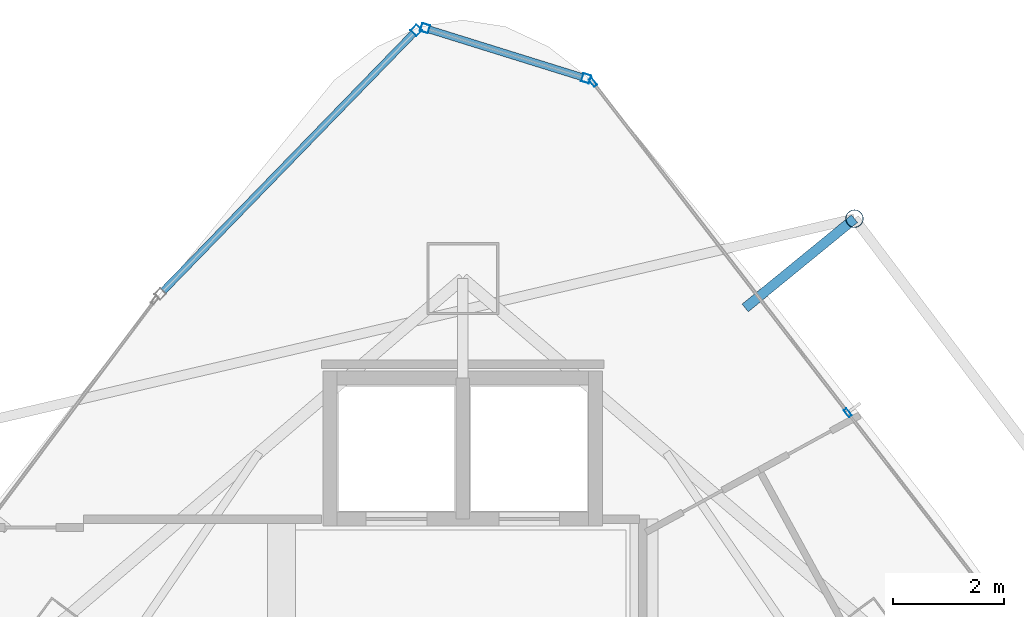
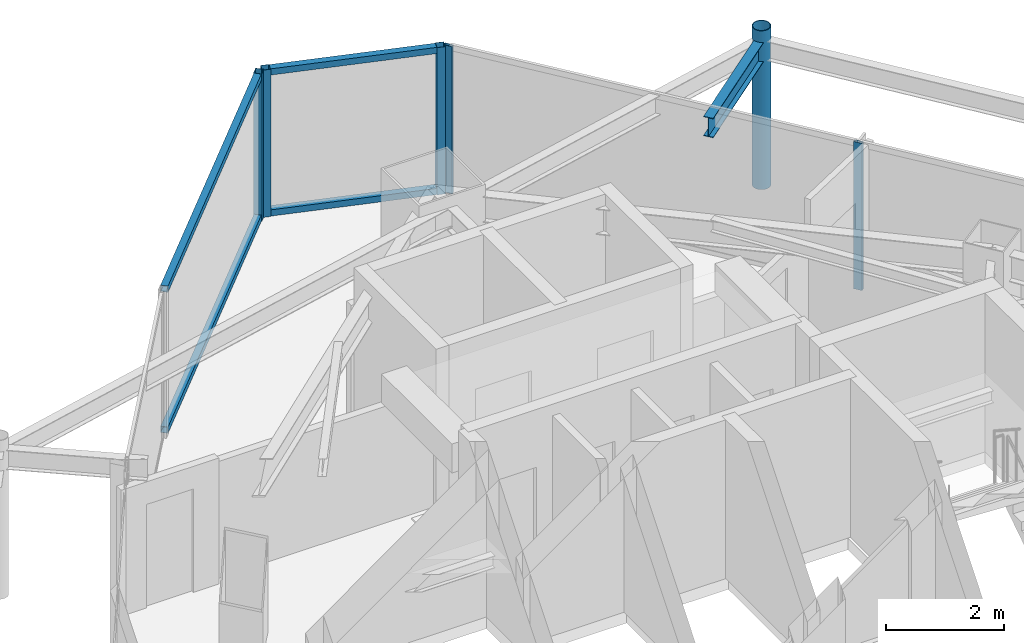
# One storey, part 24 of 32: 10 members, 1 beam, 3 elements without a shape of their own.
"""IFC4 building model written with IfcOpenShell, lengths in metres."""

import ifcopenshell
import ifcopenshell.guid

model = None  # the IFC model being written
_history = None  # IfcOwnerHistory: only IFC2X3 demands one
_inside = {}  # id of a spatial element -> (the spatial element, [elements in it])
_under = {}  # id of a project, library or spatial element -> (it, [spatial elements below it])
_declared = {}  # id of a project -> (the project, [libraries it declares])
_typed = {}  # id of a type object -> (the type object, [elements of that type])
_made_of = {}  # id of a material, layer set ... -> (it, [elements and type objects made of it])


def new_model(schema):
    """Start an empty IFC model of exactly this schema.

    Asked for "IFC4X3", IfcOpenShell would pick the latest addendum, in which some entities
    have other attributes; the version numbers below select the first issue.
    IFC2X3 requires an IfcOwnerHistory on every rooted entity: one is made here for all.
    """
    global model, _history
    if schema == "IFC4X3":
        model = ifcopenshell.file(schema_version=(4, 3, 0, 0))
    else:
        model = ifcopenshell.file(schema=schema)
    _inside.clear()
    _under.clear()
    _declared.clear()
    _typed.clear()
    _made_of.clear()
    _history = None
    if model.schema == "IFC2X3":
        org = make("IfcOrganization", Name="unknown")
        user = make(
            "IfcPersonAndOrganization",
            ThePerson=make("IfcPerson", FamilyName="unknown"),
            TheOrganization=org,
        )
        app = make(
            "IfcApplication",
            ApplicationDeveloper=org,
            Version="unknown",
            ApplicationFullName="unknown",
            ApplicationIdentifier="unknown",
        )
        _history = make(
            "IfcOwnerHistory",
            OwningUser=user,
            OwningApplication=app,
            ChangeAction="ADDED",
            CreationDate=0,
        )
    return model


def make(cls, **values):
    """One entity of the class cls with the attributes given. An attribute that is None is left unset."""
    return model.create_entity(
        cls, **{name: value for name, value in values.items() if value is not None}
    )


def rooted(cls, **values):
    """An entity with a GlobalId (a new one), such as an element, a storey or a relation."""
    return make(cls, GlobalId=ifcopenshell.guid.new(), OwnerHistory=_history, **values)


def si_unit(unit_type, name, prefix=None):
    """IfcSIUnit, for example si_unit("LENGTHUNIT", "METRE", prefix="MILLI")."""
    return make("IfcSIUnit", UnitType=unit_type, Prefix=prefix, Name=name)


def assignment(units):
    """IfcUnitAssignment: the units of a project."""
    return None if units is None else make("IfcUnitAssignment", Units=units)


def point(xyz):
    """IfcCartesianPoint."""
    return None if xyz is None else make("IfcCartesianPoint", Coordinates=xyz)


def direction(xyz):
    """IfcDirection."""
    return None if xyz is None else make("IfcDirection", DirectionRatios=xyz)


def frame(location, z_axis=None, x_axis=None):
    """IfcAxis2Placement3D, a coordinate frame: its origin and axes. An axis left out is left unset."""
    return make(
        "IfcAxis2Placement3D",
        Location=point(location),
        Axis=direction(z_axis),
        RefDirection=direction(x_axis),
    )


def frame_2d(location, x_axis=None):
    """IfcAxis2Placement2D, a coordinate frame in the plane: its origin and x axis."""
    return make(
        "IfcAxis2Placement2D", Location=point(location), RefDirection=direction(x_axis)
    )


def origin():
    """The frame at (0, 0, 0) with its axes left unset."""
    return frame((0.0, 0.0, 0.0))


def origin_2d():
    """The frame at (0, 0) in the plane with its x axis left unset."""
    return frame_2d((0.0, 0.0))


def place(relative_to, where):
    """IfcLocalPlacement: puts the frame where relative to a parent placement (None: the world)."""
    return make(
        "IfcLocalPlacement", PlacementRelTo=relative_to, RelativePlacement=where
    )


def context(
    kind, dimensions, precision=None, world=None, true_north=None, identifier=None
):
    """IfcGeometricRepresentationContext, for example the 3D "Model" context."""
    return make(
        "IfcGeometricRepresentationContext",
        ContextIdentifier=identifier,
        ContextType=kind,
        CoordinateSpaceDimension=dimensions,
        Precision=precision,
        WorldCoordinateSystem=world,
        TrueNorth=true_north,
    )


def subcontext(parent, identifier, kind, view, scale=None):
    """IfcGeometricRepresentationSubContext, for example "Body" below "Model"."""
    return make(
        "IfcGeometricRepresentationSubContext",
        ContextIdentifier=identifier,
        ContextType=kind,
        ParentContext=parent,
        TargetScale=scale,
        TargetView=view,
    )


def project(units=None, contexts=None):
    """IfcProject with its units and contexts."""
    return rooted(
        "IfcProject",
        Name="project",
        RepresentationContexts=contexts,
        UnitsInContext=assignment(units),
    )


def spatial(cls, under=None, at=None, **own):
    """A site, building, storey or space (cls), placed at a placement, below another one or the project."""
    s = rooted(cls, ObjectPlacement=at, **own)
    if under is not None:
        _under.setdefault(under.id(), (under, []))[1].append(s)
    return s


def profile(cls, at=None, kind="AREA", **sizes):
    """A parametric profile (cls). Its sizes go by their IFC names, for example OverallWidth=200.0."""
    return make(cls, ProfileType=kind, Position=at, **sizes)


def hollow_rectangle(**sizes):
    """IfcRectangleHollowProfileDef."""
    return profile("IfcRectangleHollowProfileDef", **sizes)


def hollow_circle(**sizes):
    """IfcCircleHollowProfileDef."""
    return profile("IfcCircleHollowProfileDef", **sizes)


def i_section(**sizes):
    """IfcIShapeProfileDef."""
    return profile("IfcIShapeProfileDef", **sizes)


def extrude(swept, where, along, depth):
    """IfcExtrudedAreaSolid: the profile swept, set in the frame where, extruded along a direction by depth."""
    return make(
        "IfcExtrudedAreaSolid",
        SweptArea=swept,
        Position=where,
        ExtrudedDirection=direction(along),
        Depth=depth,
    )


def shape(context_of_items, identifier, shape_type, items):
    """IfcShapeRepresentation: the items that make up one representation, for example the "Body"."""
    return make(
        "IfcShapeRepresentation",
        ContextOfItems=context_of_items,
        RepresentationIdentifier=identifier,
        RepresentationType=shape_type,
        Items=items,
    )


def material(Name=None, Category=None):
    """IfcMaterial."""
    return make("IfcMaterial", Name=Name, Category=Category)


def layer(
    of_material, thickness, ventilated=None, Name=None, Category=None, Priority=None
):
    """IfcMaterialLayer: one layer of a wall or slab, of a material (None: an air gap)."""
    return make(
        "IfcMaterialLayer",
        Material=of_material,
        LayerThickness=thickness,
        IsVentilated=ventilated,
        Name=Name,
        Category=Category,
        Priority=Priority,
    )


def layer_set(layers, Name=None):
    """IfcMaterialLayerSet."""
    return make("IfcMaterialLayerSet", MaterialLayers=layers, LayerSetName=Name)


def material_profile(
    of_material, cross_section, Name=None, Category=None, Priority=None
):
    """IfcMaterialProfile: a cross section and its material."""
    return make(
        "IfcMaterialProfile",
        Name=Name,
        Material=of_material,
        Profile=cross_section,
        Priority=Priority,
        Category=Category,
    )


def profile_set(profiles, Name=None, composite=None):
    """IfcMaterialProfileSet."""
    return make(
        "IfcMaterialProfileSet",
        Name=Name,
        MaterialProfiles=profiles,
        CompositeProfile=composite,
    )


def made_of(thing, what):
    """Note that an element or type object is made of a material, layer set ...; save() writes the relation."""
    if what is not None:
        _made_of.setdefault(what.id(), (what, []))[1].append(thing)
    return thing


def type_object(cls, material=None, **own):
    """A type object (cls), such as IfcWallType, which elements share."""
    return made_of(rooted(cls, **own), material)


def element(
    cls,
    number,
    at=None,
    inside=None,
    cuts=None,
    type_object=None,
    material=None,
    context=None,
    identifier="Body",
    shape_type=None,
    held_by="IfcProductDefinitionShape",
    body=None,
    shapes=None,
    **own,
):
    """One element of the class cls, such as IfcWall. Its Tag is "e" and its number.

    at: its placement. inside: the storey or other place that contains it. cuts: it is an
    opening in that element (IfcRelVoidsElement). A single representation is given by context,
    identifier, shape_type and body (its items); several are given by shapes. held_by: the class
    of the entity that holds the representations. save() writes the other relations.
    """
    e = rooted(cls, Tag="e%d" % number, ObjectPlacement=at, **own)
    if body is not None:
        shapes = [shape(context, identifier, shape_type, body)]
    if shapes is not None:
        e.Representation = make(held_by, Representations=shapes)
    if inside is not None:
        _inside.setdefault(inside.id(), (inside, []))[1].append(e)
    if cuts is not None:
        rooted(
            "IfcRelVoidsElement", RelatingBuildingElement=cuts, RelatedOpeningElement=e
        )
    if type_object is not None:
        _typed.setdefault(type_object.id(), (type_object, []))[1].append(e)
    return made_of(e, material)


def aggregate(whole, parts):
    """IfcRelAggregates: a whole, such as a stair, and the parts it consists of."""
    return rooted("IfcRelAggregates", RelatingObject=whole, RelatedObjects=parts)


def save(model, path):
    """Write the relations noted so far, then the file.

    IfcRelAggregates (storeys below a building ...), IfcRelContainedInSpatialStructure (elements
    in a storey), IfcRelDefinesByType, IfcRelAssociatesMaterial and IfcRelDeclares: one each for
    every whole, place, type object, material and project.
    """
    for whole, parts in _under.values():
        aggregate(whole, parts)
    for where, things in _inside.values():
        rooted(
            "IfcRelContainedInSpatialStructure",
            RelatedElements=things,
            RelatingStructure=where,
        )
    for kind, things in _typed.values():
        rooted("IfcRelDefinesByType", RelatedObjects=things, RelatingType=kind)
    for what, things in _made_of.values():
        rooted("IfcRelAssociatesMaterial", RelatedObjects=things, RelatingMaterial=what)
    for by, libraries in _declared.values():
        rooted("IfcRelDeclares", RelatingContext=by, RelatedDefinitions=libraries)
    model.write(path)


model = new_model("IFC4")

# Units and contexts
model_context = context("Model", 3, precision=1e-05, world=origin(), true_north=direction((0.0, 1.0)))
body_context = subcontext(model_context, "Body", "Model", "MODEL_VIEW")
ifc_project = project(units=[si_unit("LENGTHUNIT", "METRE"), si_unit("AREAUNIT", "SQUARE_METRE"), si_unit("VOLUMEUNIT", "CUBIC_METRE"), si_unit("PLANEANGLEUNIT", "RADIAN"), si_unit("MASSUNIT", "GRAM", prefix="KILO")], contexts=[model_context])

# Site, building, storey
site_placement = place(None, origin())
site = spatial("IfcSite", under=ifc_project, at=site_placement, CompositionType="ELEMENT")
building_placement = place(site_placement, origin())
building = spatial("IfcBuilding", under=site, at=building_placement, Name="Orvanel Arch Residences", CompositionType="ELEMENT")
storey_placement = place(building_placement, frame((0.0, 0.0, 219.5)))
storey = spatial("IfcBuildingStorey", under=building, at=storey_placement, Name="L62", CompositionType="ELEMENT", Elevation=219.5)

# Curtain wall, members
ifc_material_1 = material(Name="Bronze-anodised aluminium AA6063-T6", Category="aluminium")
ifc_layer_1 = layer(ifc_material_1, 0.18994140625)
ifc_layer_set_1 = layer_set([ifc_layer_1], Name="Bronze-anodised aluminium AA6063-T6")
curtain_wall_type_1 = type_object("IfcCurtainWallType", Name="CW5-CRN-SYS", PredefinedType="NOTDEFINED", material=ifc_layer_set_1)
curtain_wall_1_placement = place(storey_placement, origin())
curtain_wall_1 = element("IfcCurtainWall", 1, at=curtain_wall_1_placement, inside=storey, type_object=curtain_wall_type_1, Name="L62 CW5-CRN-SYS Unitised Curtain Wall", PredefinedType="NOTDEFINED")
ifc_material_profile_1 = material_profile(ifc_material_1, hollow_rectangle(XDim=0.14990234375, YDim=0.14990234375, WallThickness=0.0048828125, at=origin_2d()), Name="ALU150x150x5")
ifc_profile_set_1 = profile_set([ifc_material_profile_1], Name="Bronze-anodised aluminium AA6063-T6")
member_type_1 = type_object("IfcMemberType", Name="MUL-150x150", PredefinedType="MULLION", material=ifc_profile_set_1)
member_1_placement = place(storey_placement, frame((35.2294921875, 45.014404296875, 0.0), z_axis=(0.0, 0.0, 1.0), x_axis=(-0.297224858639, -0.954807511181, 0.0)))
member_1 = element("IfcMember", 2, at=member_1_placement, type_object=member_type_1, Name="CW-S5 mullion 1", PredefinedType="MULLION", context=body_context, shape_type="SweptSolid", body=[
    extrude(hollow_rectangle(XDim=0.14990234375, YDim=0.14990234375, WallThickness=0.0048828125, at=origin_2d()), origin(), (0.0, 0.0, 1.0), 3.06005859375),
])
member_2_placement = place(storey_placement, frame((32.317626953125, 45.920654296875, 0.0), z_axis=(0.0, 0.0, 1.0), x_axis=(-0.297224858639, -0.954807511181, 0.0)))
member_2 = element("IfcMember", 3, at=member_2_placement, type_object=member_type_1, Name="CW-S5 mullion 2", PredefinedType="MULLION", context=body_context, shape_type="SweptSolid", body=[
    extrude(hollow_rectangle(XDim=0.14990234375, YDim=0.14990234375, WallThickness=0.0048828125, at=origin_2d()), origin(), (0.0, 0.0, 1.0), 3.06005859375),
])

# Curtain wall, member
curtain_wall_2_placement = place(storey_placement, origin())
curtain_wall_2 = element("IfcCurtainWall", 4, at=curtain_wall_2_placement, inside=storey, type_object=curtain_wall_type_1, Name="L62 CW5-CRN-SYS Unitised Curtain Wall", PredefinedType="NOTDEFINED")
member_3_placement = place(storey_placement, frame((32.16064453125, 45.881103515625, 0.0), z_axis=(0.0, 0.0, 1.0), x_axis=(0.717266764401, -0.696798671558, 0.0)))
member_3 = element("IfcMember", 5, at=member_3_placement, type_object=member_type_1, Name="CW-S5 mullion 1", PredefinedType="MULLION", context=body_context, shape_type="SweptSolid", body=[
    extrude(hollow_rectangle(XDim=0.14990234375, YDim=0.14990234375, WallThickness=0.0048828125, at=origin_2d()), origin(), (0.0, 0.0, 1.0), 3.06005859375),
])

# Curtain wall, members
ifc_layer_2 = layer(ifc_material_1, 0.175048828125)
ifc_layer_set_2 = layer_set([ifc_layer_2], Name="Bronze-anodised aluminium AA6063-T6")
curtain_wall_type_2 = type_object("IfcCurtainWallType", Name="CW4-HI-SYS", PredefinedType="NOTDEFINED", material=ifc_layer_set_2)
curtain_wall_3_placement = place(storey_placement, origin())
curtain_wall_3 = element("IfcCurtainWall", 6, at=curtain_wall_3_placement, inside=storey, type_object=curtain_wall_type_2, Name="L62 CW4-HI-SYS Unitised Curtain Wall", PredefinedType="NOTDEFINED")
ifc_material_profile_2 = material_profile(ifc_material_1, hollow_rectangle(XDim=0.06494140625, YDim=0.159912109375, WallThickness=0.00390625, at=origin_2d()), Name="ALU160x65x4")
ifc_profile_set_2 = profile_set([ifc_material_profile_2], Name="Bronze-anodised aluminium AA6063-T6")
member_type_2 = type_object("IfcMemberType", Name="MUL-160x65", PredefinedType="MULLION", material=ifc_profile_set_2)
member_4_placement = place(storey_placement, frame((39.9560546875, 38.971923828125, 0.0), z_axis=(0.0, 0.0, 1.0), x_axis=(-0.791975613177, -0.610552723467, 0.0)))
member_4 = element("IfcMember", 7, at=member_4_placement, type_object=member_type_2, Name="CW-S4 mullion 2", PredefinedType="MULLION", context=body_context, shape_type="SweptSolid", body=[
    extrude(hollow_rectangle(XDim=0.06494140625, YDim=0.159912109375, WallThickness=0.00390625, at=origin_2d()), origin(), (0.0, 0.0, 1.0), 3.06005859375),
])
member_5_placement = place(storey_placement, frame((35.351806640625, 44.9443359375, 0.0), z_axis=(0.0, 0.0, 1.0), x_axis=(-0.791975613177, -0.610552723467, 0.0)))
member_5 = element("IfcMember", 8, at=member_5_placement, type_object=member_type_2, Name="CW-S4 mullion 3", PredefinedType="MULLION", context=body_context, shape_type="SweptSolid", body=[
    extrude(hollow_rectangle(XDim=0.06494140625, YDim=0.159912109375, WallThickness=0.00390625, at=origin_2d()), origin(), (0.0, 0.0, 1.0), 3.06005859375),
])
aggregate(curtain_wall_3, [member_4, member_5])

# Beam
ifc_material_2 = material(Name="Structural steel AS/NZS 3679.1 Grade 300 (300 MPa)", Category="steel")
ifc_material_profile_3 = material_profile(ifc_material_2, i_section(OverallWidth=0.177978515625, OverallDepth=0.406005859375, WebThickness=0.0078125, FlangeThickness=0.0126953125, at=origin_2d()), Name="410UB59.7")
ifc_profile_set_3 = profile_set([ifc_material_profile_3], Name="Structural steel AS/NZS 3679.1 Grade 300 (300 MPa)")
beam_type = type_object("IfcBeamType", Name="OB-410UB-EXT", PredefinedType="SPANDREL", material=ifc_profile_set_3)
beam_placement = place(storey_placement, frame((38.10205078125, 40.865966796875, 2.85693359375), z_axis=(0.774485999803, 0.63259104966, 0.0), x_axis=(-0.63259104966, 0.774485999803, 0.0)))
element("IfcBeam", 9, at=beam_placement, inside=storey, type_object=beam_type, Name="L62 Outer Frame Radial Tie Beam 12", PredefinedType="SPANDREL", context=body_context, shape_type="SweptSolid", body=[
    extrude(i_section(OverallWidth=0.177978515625, OverallDepth=0.406005859375, WebThickness=0.0078125, FlangeThickness=0.0126953125, at=origin_2d()), origin(), (0.0, 0.0, 1.0), 2.5498046875),
])

# Member
ifc_material_3 = material(Name="Structural steel AS/NZS 1163 C350L0 (Grade 350)", Category="steel")
ifc_material_profile_4 = material_profile(ifc_material_3, hollow_circle(Radius=0.162109375, WallThickness=0.0126953125, at=origin_2d()), Name="CHS324x12.7")
ifc_profile_set_4 = profile_set([ifc_material_profile_4], Name="Structural steel AS/NZS 1163 C350L0 (Grade 350)")
member_type_3 = type_object("IfcMemberType", Name="ST-324CHS-EXT", PredefinedType="STRUT", material=ifc_profile_set_4)
member_6_placement = place(storey_placement, frame((40.076904296875, 42.47900390625, 0.0), z_axis=(0.0, 0.0, 1.0), x_axis=(1.0, 0.0, 0.0)))
element("IfcMember", 10, at=member_6_placement, inside=storey, type_object=member_type_3, Name="L62 Outer Perimeter Frame Post 12", PredefinedType="STRUT", context=body_context, shape_type="SweptSolid", body=[
    extrude(hollow_circle(Radius=0.162109375, WallThickness=0.0126953125, at=origin_2d()), origin(), (0.0, 0.0, 1.0), 3.300048828125),
])

ifc_material_profile_5 = material_profile(ifc_material_1, hollow_rectangle(XDim=0.1298828125, YDim=0.1298828125, WallThickness=0.00439453125, at=origin_2d()), Name="ALU130x130x4.5")
ifc_profile_set_5 = profile_set([ifc_material_profile_5], Name="Bronze-anodised aluminium AA6063-T6")
member_type_4 = type_object("IfcMemberType", Name="TRN-130x130", PredefinedType="USERDEFINED", material=ifc_profile_set_5)
member_7_placement = place(storey_placement, frame((35.15771484375, 45.03662109375, 0.06494140625), z_axis=(-0.954808997265, 0.297220084687, 0.0), x_axis=(-0.297220084687, -0.954808997265, 0.0)))
member_7 = element("IfcMember", 11, at=member_7_placement, type_object=member_type_4, Name="CW-S5 transom 1.1", ObjectType="TRANSOM", PredefinedType="USERDEFINED", context=body_context, shape_type="SweptSolid", body=[
    extrude(hollow_rectangle(XDim=0.1298828125, YDim=0.1298828125, WallThickness=0.00439453125, at=origin_2d()), origin(), (0.0, 0.0, 1.0), 2.899658203125),
])

member_8_placement = place(storey_placement, frame((35.15771484375, 45.03662109375, 2.9951171875), z_axis=(-0.954808997265, 0.297220084687, 0.0), x_axis=(-0.297220084687, -0.954808997265, 0.0)))
member_8 = element("IfcMember", 12, at=member_8_placement, type_object=member_type_4, Name="CW-S5 transom 1.2", ObjectType="TRANSOM", PredefinedType="USERDEFINED", context=body_context, shape_type="SweptSolid", body=[
    extrude(hollow_rectangle(XDim=0.1298828125, YDim=0.1298828125, WallThickness=0.00439453125, at=origin_2d()), origin(), (0.0, 0.0, 1.0), 2.899658203125),
])

aggregate(curtain_wall_1, [member_1, member_2, member_7, member_8])

member_9_placement = place(storey_placement, frame((32.1083984375, 45.827392578125, 0.06494140625), z_axis=(-0.696802270693, -0.717263267954, 0.0), x_axis=(0.717263267954, -0.696802270693, 0.0)))
member_9 = element("IfcMember", 13, at=member_9_placement, type_object=member_type_4, Name="CW-S5 transom 1.1", ObjectType="TRANSOM", PredefinedType="USERDEFINED", context=body_context, shape_type="SweptSolid", body=[
    extrude(hollow_rectangle(XDim=0.1298828125, YDim=0.1298828125, WallThickness=0.00439453125, at=origin_2d()), origin(), (0.0, 0.0, 1.0), 6.490966796875),
])

member_10_placement = place(storey_placement, frame((32.1083984375, 45.827392578125, 2.9951171875), z_axis=(-0.696802270693, -0.717263267954, 0.0), x_axis=(0.717263267954, -0.696802270693, 0.0)))
member_10 = element("IfcMember", 14, at=member_10_placement, type_object=member_type_4, Name="CW-S5 transom 1.2", ObjectType="TRANSOM", PredefinedType="USERDEFINED", context=body_context, shape_type="SweptSolid", body=[
    extrude(hollow_rectangle(XDim=0.1298828125, YDim=0.1298828125, WallThickness=0.00439453125, at=origin_2d()), origin(), (0.0, 0.0, 1.0), 6.490966796875),
])

aggregate(curtain_wall_2, [member_3, member_9, member_10])

save(model, "model.ifc")
